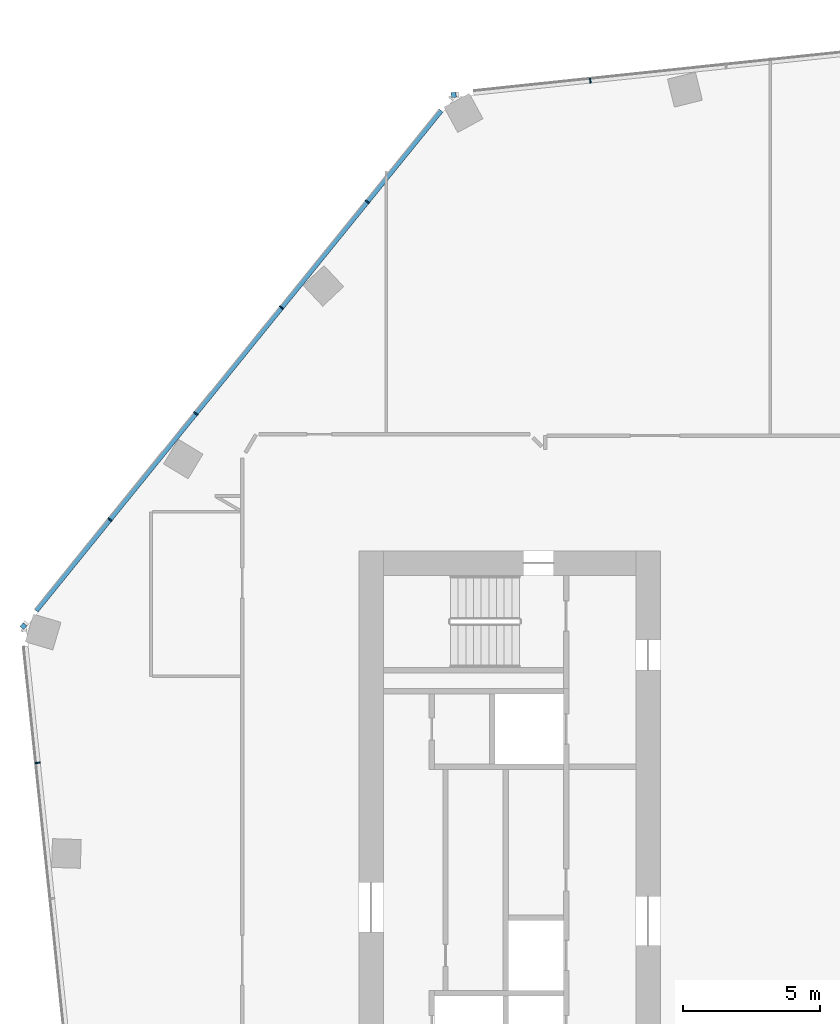
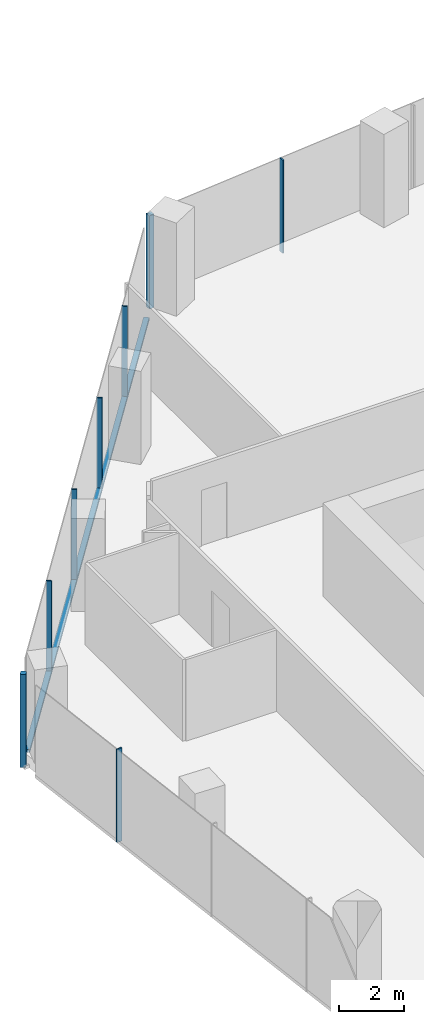
# One storey, part 8 of 25: 9 members, 3 elements without a shape of their own.
"""IFC4 building model written with IfcOpenShell, lengths in metres."""

from ifc_helpers import new_model, si_unit, direction, frame, origin, origin_2d, place, context, subcontext, project, spatial, rectangle, extrude, material, material_profile, profile_set, type_object, element, aggregate, save


model = new_model("IFC4")

# Units and contexts
model_context = context("Model", 3, precision=1e-05, world=origin(), true_north=direction((0.0, 1.0)))
body_context = subcontext(model_context, "Body", "Model", "MODEL_VIEW")
ifc_project = project(units=[si_unit("LENGTHUNIT", "METRE"), si_unit("AREAUNIT", "SQUARE_METRE"), si_unit("VOLUMEUNIT", "CUBIC_METRE"), si_unit("PLANEANGLEUNIT", "RADIAN"), si_unit("MASSUNIT", "GRAM", prefix="KILO")], contexts=[model_context])

# Site, building, storey
site_placement = place(None, origin())
site = spatial("IfcSite", under=ifc_project, at=site_placement, CompositionType="ELEMENT")
building_placement = place(site_placement, origin())
building = spatial("IfcBuilding", under=site, at=building_placement, Name="Orlundy Tower", CompositionType="ELEMENT")
storey_placement = place(building_placement, frame((0.0, 0.0, 217.5)))
storey = spatial("IfcBuildingStorey", under=building, at=storey_placement, Name="L57", CompositionType="ELEMENT", Elevation=217.5)

# Curtain wall, member
ifc_material_1 = material(Name="Aluminium bronze anodised", Category="aluminium")
curtain_wall_type = type_object("IfcCurtainWallType", Name="CW1 wall", PredefinedType="NOTDEFINED", material=ifc_material_1)
curtain_wall_1_placement = place(storey_placement, origin())
curtain_wall_1 = element("IfcCurtainWall", 1, at=curtain_wall_1_placement, inside=storey, type_object=curtain_wall_type, Name="CW1 run 03", PredefinedType="NOTDEFINED")
ifc_material_2 = material(Name="Aluminium bronze anodised", Category="aluminium")
ifc_material_profile_1 = material_profile(ifc_material_2, rectangle(XDim=0.179931640625, YDim=0.179931640625, at=origin_2d()), Name="CW1 corner post 180x180")
ifc_profile_set_1 = profile_set([ifc_material_profile_1], Name="Aluminium bronze anodised")
member_type_1 = type_object("IfcMemberType", Name="CW1 corner post 180x180", PredefinedType="MULLION", material=ifc_profile_set_1)
member_1_placement = place(storey_placement, frame((-31.228515625, 9.249755859375, -0.419921875), z_axis=(0.0, 0.0, 1.0), x_axis=(-0.777145540374, 0.629320911043, 0.0)))
member_1 = element("IfcMember", 2, at=member_1_placement, type_object=member_type_1, Name="CW1 mullion 10", PredefinedType="MULLION", context=body_context, shape_type="SweptSolid", body=[
    extrude(rectangle(XDim=0.179931640625, YDim=0.179931640625, at=origin_2d()), origin(), (0.0, 0.0, 1.0), 3.5),
])

curtain_wall_2_placement = place(storey_placement, origin())
curtain_wall_2 = element("IfcCurtainWall", 3, at=curtain_wall_2_placement, inside=storey, type_object=curtain_wall_type, Name="CW1 run 04", PredefinedType="NOTDEFINED")
member_2_placement = place(storey_placement, frame((-15.54052734375, 28.62255859375, -0.419921875), z_axis=(0.0, 0.0, 1.0), x_axis=(-0.104538162943, 0.994520875843, 0.0)))
member_2 = element("IfcMember", 4, at=member_2_placement, type_object=member_type_1, Name="CW1 mullion 15", PredefinedType="MULLION", context=body_context, shape_type="SweptSolid", body=[
    extrude(rectangle(XDim=0.179931640625, YDim=0.179931640625, at=origin_2d()), origin(), (0.0, 0.0, 1.0), 3.5),
])

curtain_wall_3_placement = place(storey_placement, origin())
curtain_wall_3 = element("IfcCurtainWall", 5, at=curtain_wall_3_placement, inside=storey, type_object=curtain_wall_type, Name="CW1 run 02", PredefinedType="NOTDEFINED")
ifc_material_3 = material(Name="Aluminium bronze anodised", Category="aluminium")
ifc_material_profile_2 = material_profile(ifc_material_3, rectangle(XDim=0.179931640625, YDim=0.050048828125, at=origin_2d()), Name="CW1 mullion 50x180")
ifc_profile_set_2 = profile_set([ifc_material_profile_2], Name="Aluminium bronze anodised")
member_type_2 = type_object("IfcMemberType", Name="CW1 mullion 50x180", PredefinedType="MULLION", material=ifc_profile_set_2)
member_3_placement = place(storey_placement, frame((-30.704833984375, 4.269287109375, -0.419921875), z_axis=(0.0, 0.0, 1.0), x_axis=(-0.994520875843, -0.104538162943, 0.0)))
member_3 = element("IfcMember", 6, at=member_3_placement, type_object=member_type_2, Name="CW1 mullion 9", PredefinedType="MULLION", context=body_context, shape_type="SweptSolid", body=[
    extrude(rectangle(XDim=0.179931640625, YDim=0.050048828125, at=origin_2d()), origin(), (0.0, 0.0, 1.0), 3.5),
])
aggregate(curtain_wall_3, [member_3])

# Member
member_4_placement = place(storey_placement, frame((-28.07666015625, 13.1416015625, -0.419921875), z_axis=(0.0, 0.0, 1.0), x_axis=(-0.777145540374, 0.629320911043, 0.0)))
member_4 = element("IfcMember", 7, at=member_4_placement, type_object=member_type_2, Name="CW1 mullion 11", PredefinedType="MULLION", context=body_context, shape_type="SweptSolid", body=[
    extrude(rectangle(XDim=0.179931640625, YDim=0.050048828125, at=origin_2d()), origin(), (0.0, 0.0, 1.0), 3.5),
])

member_5_placement = place(storey_placement, frame((-24.948486328125, 17.004638671875, -0.419921875), z_axis=(0.0, 0.0, 1.0), x_axis=(-0.777145540374, 0.629320911043, 0.0)))
member_5 = element("IfcMember", 8, at=member_5_placement, type_object=member_type_2, Name="CW1 mullion 12", PredefinedType="MULLION", context=body_context, shape_type="SweptSolid", body=[
    extrude(rectangle(XDim=0.179931640625, YDim=0.050048828125, at=origin_2d()), origin(), (0.0, 0.0, 1.0), 3.5),
])

member_6_placement = place(storey_placement, frame((-21.8203125, 20.86767578125, -0.419921875), z_axis=(0.0, 0.0, 1.0), x_axis=(-0.777145540374, 0.629320911043, 0.0)))
member_6 = element("IfcMember", 9, at=member_6_placement, type_object=member_type_2, Name="CW1 mullion 13", PredefinedType="MULLION", context=body_context, shape_type="SweptSolid", body=[
    extrude(rectangle(XDim=0.179931640625, YDim=0.050048828125, at=origin_2d()), origin(), (0.0, 0.0, 1.0), 3.5),
])

member_7_placement = place(storey_placement, frame((-18.692138671875, 24.730712890625, -0.419921875), z_axis=(0.0, 0.0, 1.0), x_axis=(-0.777145540374, 0.629320911043, 0.0)))
member_7 = element("IfcMember", 10, at=member_7_placement, type_object=member_type_2, Name="CW1 mullion 14", PredefinedType="MULLION", context=body_context, shape_type="SweptSolid", body=[
    extrude(rectangle(XDim=0.179931640625, YDim=0.050048828125, at=origin_2d()), origin(), (0.0, 0.0, 1.0), 3.5),
])

member_8_placement = place(storey_placement, frame((-10.560302734375, 29.14599609375, -0.419921875), z_axis=(0.0, 0.0, 1.0), x_axis=(-0.104538162943, 0.994520875843, 0.0)))
member_8 = element("IfcMember", 11, at=member_8_placement, type_object=member_type_2, Name="CW1 mullion 16", PredefinedType="MULLION", context=body_context, shape_type="SweptSolid", body=[
    extrude(rectangle(XDim=0.179931640625, YDim=0.050048828125, at=origin_2d()), origin(), (0.0, 0.0, 1.0), 3.5),
])

aggregate(curtain_wall_2, [member_2, member_8])

ifc_material_4 = material(Name="Aluminium bronze anodised", Category="aluminium")
ifc_material_profile_3 = material_profile(ifc_material_4, rectangle(XDim=0.179931640625, YDim=0.1201171875, at=origin_2d()), Name="CW1 transom 180x120")
ifc_profile_set_3 = profile_set([ifc_material_profile_3], Name="Aluminium bronze anodised")
member_type_3 = type_object("IfcMemberType", Name="CW1 transom 180x120", PredefinedType="USERDEFINED", material=ifc_profile_set_3)
member_9_placement = place(storey_placement, frame((-30.768310546875, 9.81787109375, -0.360107421875), z_axis=(0.629325117988, 0.777142133634, 0.0), x_axis=(-0.777142133634, 0.629325117988, 0.0)))
member_9 = element("IfcMember", 12, at=member_9_placement, type_object=member_type_3, Name="CW1 transom", ObjectType="TRANSOM", PredefinedType="USERDEFINED", context=body_context, shape_type="SweptSolid", body=[
    extrude(rectangle(XDim=0.179931640625, YDim=0.1201171875, at=origin_2d()), origin(), (0.0, 0.0, 1.0), 23.466552734375),
])

aggregate(curtain_wall_1, [member_1, member_4, member_5, member_6, member_7, member_9])

save(model, "model.ifc")
